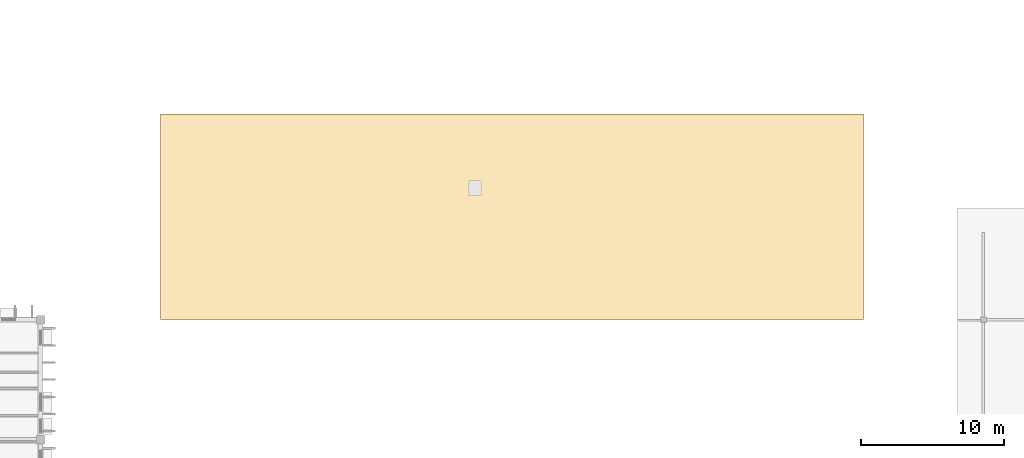
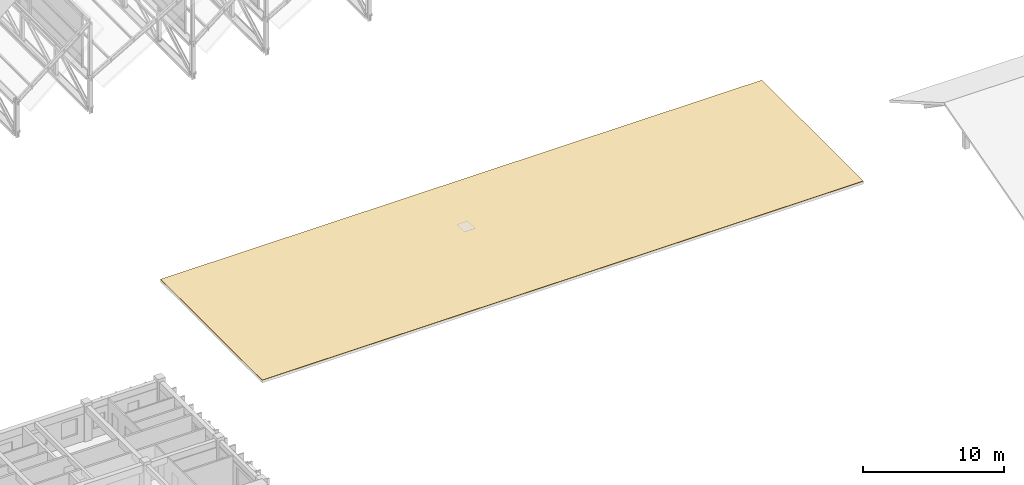
# One storey, part 76 of 101: 1 covering.
"""IFC4 building model written with IfcOpenShell, lengths in metres."""

from ifc_helpers import new_model, si_unit, direction, frame, origin, place, context, subcontext, project, spatial, polyline, outline, extrude, material, layer, layer_set, type_object, element, save


model = new_model("IFC4")

# Units and contexts
model_context = context("Model", 3, precision=1e-05, world=origin(), true_north=direction((0.0, 1.0)))
body_context = subcontext(model_context, "Body", "Model", "MODEL_VIEW")
ifc_project = project(units=[si_unit("LENGTHUNIT", "METRE"), si_unit("AREAUNIT", "SQUARE_METRE"), si_unit("VOLUMEUNIT", "CUBIC_METRE"), si_unit("PLANEANGLEUNIT", "RADIAN"), si_unit("MASSUNIT", "GRAM", prefix="KILO"), si_unit("THERMODYNAMICTEMPERATUREUNIT", "KELVIN")], contexts=[model_context])

# Site, building, storey
site_placement = place(None, origin())
site = spatial("IfcSite", under=ifc_project, at=site_placement, CompositionType="ELEMENT")
building_placement = place(site_placement, origin())
building = spatial("IfcBuilding", under=site, at=building_placement, Name="Thalorik Housing Commons", CompositionType="ELEMENT")
storey_placement = place(building_placement, frame((0.0, 0.0, 8.10009765625)))
storey = spatial("IfcBuildingStorey", under=building, at=storey_placement, Name="L02", CompositionType="ELEMENT", Elevation=8.10009765625)

# Covering
ifc_material = material(Name="Reflective white TPO roofing membrane and rigid insulation")
ifc_layer = layer(ifc_material, 0.034912109375, Name="Reflective white TPO roofing membrane and rigid insulation")
ifc_layer_set = layer_set([ifc_layer], Name="Reflective white TPO roofing membrane and rigid insulation")
covering_type = type_object("IfcCoveringType", Name="ARC-ROOF-MEM-35", PredefinedType="ROOFING", material=ifc_layer_set)
covering_placement = place(storey_placement, origin())
element("IfcCovering", 1, at=covering_placement, inside=storey, type_object=covering_type, Name="L02 Street Shops Roof Waterproofing", PredefinedType="ROOFING", context=body_context, shape_type="SweptSolid", body=[
    extrude(outline(polyline([(66.0, 22.800048828125), (115.199951171875, 22.800048828125), (115.199951171875, 37.199951171875), (66.0, 37.199951171875), (66.0, 22.800048828125)])), origin(), (0.0, 0.0, 1.0), 0.034912109375),
])

save(model, "model.ifc")
